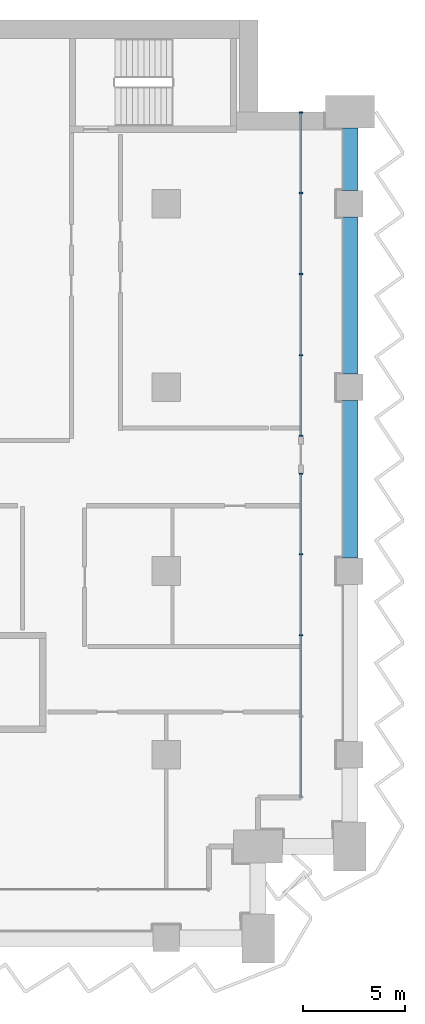
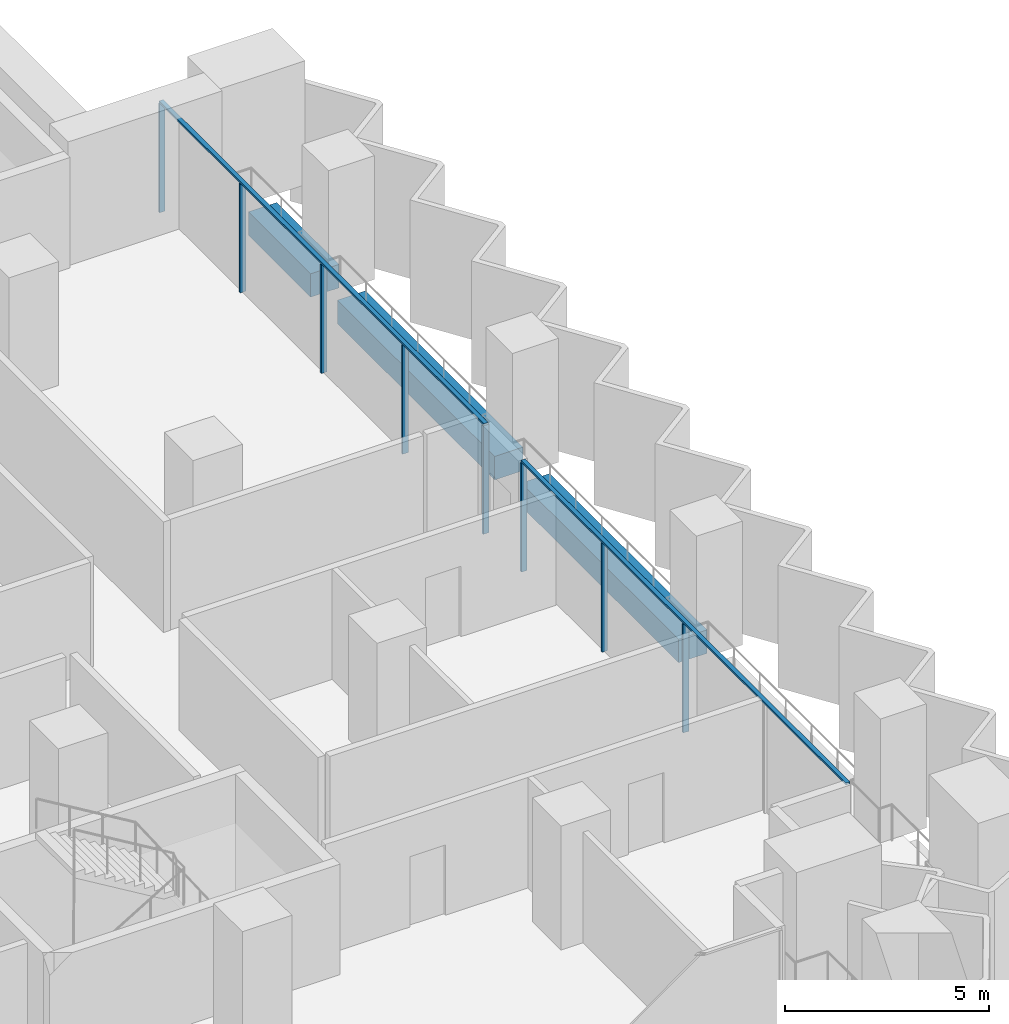
# One storey, part 7 of 28: 10 members, 3 beams, 2 elements without a shape of their own.
"""IFC4 building model written with IfcOpenShell, lengths in metres."""

from ifc_helpers import new_model, si_unit, direction, frame, origin, origin_2d, place, context, subcontext, project, spatial, rectangle, extrude, material, material_profile, profile_set, type_object, element, aggregate, save


model = new_model("IFC4")

# Units and contexts
model_context = context("Model", 3, precision=1e-05, world=origin(), true_north=direction((0.0, 1.0)))
body_context = subcontext(model_context, "Body", "Model", "MODEL_VIEW")
ifc_project = project(units=[si_unit("LENGTHUNIT", "METRE"), si_unit("AREAUNIT", "SQUARE_METRE"), si_unit("VOLUMEUNIT", "CUBIC_METRE"), si_unit("PLANEANGLEUNIT", "RADIAN"), si_unit("MASSUNIT", "GRAM", prefix="KILO")], contexts=[model_context])

# Site, building, storey
site_placement = place(None, origin())
site = spatial("IfcSite", under=ifc_project, at=site_placement, CompositionType="ELEMENT")
building_placement = place(site_placement, origin())
building = spatial("IfcBuilding", under=site, at=building_placement, Name="Hunhe Ridgeline Campus", CompositionType="ELEMENT")
storey_placement = place(building_placement, frame((0.0, 0.0, 72.800048828125)))
storey = spatial("IfcBuildingStorey", under=building, at=storey_placement, Name="L17", CompositionType="ELEMENT", Elevation=72.800048828125)

# Curtain wall, members
ifc_material_1 = material(Name="Aluminium 6063", Category="aluminium")
curtain_wall_type = type_object("IfcCurtainWallType", Name="Curtain wall CW-1", PredefinedType="NOTDEFINED", material=ifc_material_1)
curtain_wall_1_placement = place(storey_placement, origin())
curtain_wall_1 = element("IfcCurtainWall", 1, at=curtain_wall_1_placement, inside=storey, type_object=curtain_wall_type, Name="Curtain wall 15", PredefinedType="NOTDEFINED")
ifc_material_profile_1 = material_profile(ifc_material_1, rectangle(XDim=0.159912109375, YDim=0.06005859375, at=origin_2d()))
ifc_profile_set_1 = profile_set([ifc_material_profile_1], Name="Aluminium 6063")
member_type_1 = type_object("IfcMemberType", Name="CW-1 aluminium mullion", PredefinedType="MULLION", material=ifc_profile_set_1)
member_1_placement = place(storey_placement, frame((96.59912109375, 68.850830078125, 0.0), z_axis=(0.0, 0.0, 1.0), x_axis=(-1.0, 0.0, 0.0)))
member_1 = element("IfcMember", 2, at=member_1_placement, type_object=member_type_1, Name="CW-1 mullion 3", PredefinedType="MULLION", context=body_context, shape_type="SweptSolid", body=[
    extrude(rectangle(XDim=0.159912109375, YDim=0.06005859375, at=origin_2d()), origin(), (0.0, 0.0, 1.0), 3.239990234375),
])
member_2_placement = place(storey_placement, frame((96.59912109375, 72.82568359375, 0.0), z_axis=(0.0, 0.0, 1.0), x_axis=(-1.0, 0.0, 0.0)))
member_2 = element("IfcMember", 3, at=member_2_placement, type_object=member_type_1, Name="CW-1 mullion 4", PredefinedType="MULLION", context=body_context, shape_type="SweptSolid", body=[
    extrude(rectangle(XDim=0.159912109375, YDim=0.06005859375, at=origin_2d()), origin(), (0.0, 0.0, 1.0), 3.239990234375),
])
member_3_placement = place(storey_placement, frame((96.59912109375, 76.7705078125, 0.0), z_axis=(0.0, 0.0, 1.0), x_axis=(-1.0, 0.0, 0.0)))
member_3 = element("IfcMember", 4, at=member_3_placement, type_object=member_type_1, Name="CW-1 mullion 5", PredefinedType="MULLION", context=body_context, shape_type="SweptSolid", body=[
    extrude(rectangle(XDim=0.159912109375, YDim=0.06005859375, at=origin_2d()), origin(), (0.0, 0.0, 1.0), 3.239990234375),
])

curtain_wall_2_placement = place(storey_placement, origin())
curtain_wall_2 = element("IfcCurtainWall", 5, at=curtain_wall_2_placement, inside=storey, type_object=curtain_wall_type, Name="Curtain wall 16", PredefinedType="NOTDEFINED")
member_4_placement = place(storey_placement, frame((96.59912109375, 78.630615234375, 0.0), z_axis=(0.0, 0.0, 1.0), x_axis=(-1.0, 0.0, 0.0)))
member_4 = element("IfcMember", 6, at=member_4_placement, type_object=member_type_1, Name="CW-1 mullion 1", PredefinedType="MULLION", context=body_context, shape_type="SweptSolid", body=[
    extrude(rectangle(XDim=0.159912109375, YDim=0.06005859375, at=origin_2d()), origin(), (0.0, 0.0, 1.0), 3.239990234375),
])
member_5_placement = place(storey_placement, frame((96.59912109375, 82.575439453125, 0.0), z_axis=(0.0, 0.0, 1.0), x_axis=(-1.0, 0.0, 0.0)))
member_5 = element("IfcMember", 7, at=member_5_placement, type_object=member_type_1, Name="CW-1 mullion 2", PredefinedType="MULLION", context=body_context, shape_type="SweptSolid", body=[
    extrude(rectangle(XDim=0.159912109375, YDim=0.06005859375, at=origin_2d()), origin(), (0.0, 0.0, 1.0), 3.239990234375),
])
member_6_placement = place(storey_placement, frame((96.59912109375, 86.55029296875, 0.0), z_axis=(0.0, 0.0, 1.0), x_axis=(-1.0, 0.0, 0.0)))
member_6 = element("IfcMember", 8, at=member_6_placement, type_object=member_type_1, Name="CW-1 mullion 3", PredefinedType="MULLION", context=body_context, shape_type="SweptSolid", body=[
    extrude(rectangle(XDim=0.159912109375, YDim=0.06005859375, at=origin_2d()), origin(), (0.0, 0.0, 1.0), 3.239990234375),
])
member_7_placement = place(storey_placement, frame((96.59912109375, 90.525146484375, 0.0), z_axis=(0.0, 0.0, 1.0), x_axis=(-1.0, 0.0, 0.0)))
member_7 = element("IfcMember", 9, at=member_7_placement, type_object=member_type_1, Name="CW-1 mullion 4", PredefinedType="MULLION", context=body_context, shape_type="SweptSolid", body=[
    extrude(rectangle(XDim=0.159912109375, YDim=0.06005859375, at=origin_2d()), origin(), (0.0, 0.0, 1.0), 3.239990234375),
])
member_8_placement = place(storey_placement, frame((96.59912109375, 94.469970703125, 0.0), z_axis=(0.0, 0.0, 1.0), x_axis=(-1.0, 0.0, 0.0)))
member_8 = element("IfcMember", 10, at=member_8_placement, type_object=member_type_1, Name="CW-1 mullion 5", PredefinedType="MULLION", context=body_context, shape_type="SweptSolid", body=[
    extrude(rectangle(XDim=0.159912109375, YDim=0.06005859375, at=origin_2d()), origin(), (0.0, 0.0, 1.0), 3.239990234375),
])

# Member
ifc_material_profile_2 = material_profile(ifc_material_1, rectangle(XDim=0.1201171875, YDim=0.06005859375, at=origin_2d()))
ifc_profile_set_2 = profile_set([ifc_material_profile_2], Name="Aluminium 6063")
member_type_2 = type_object("IfcMemberType", Name="CW-1 aluminium transom", PredefinedType="USERDEFINED", material=ifc_profile_set_2)
member_9_placement = place(storey_placement, frame((96.59912109375, 60.90087890625, 3.27001953125), z_axis=(0.0, 1.0, 0.0), x_axis=(-1.0, 0.0, 0.0)))
member_9 = element("IfcMember", 11, at=member_9_placement, type_object=member_type_2, Name="CW-1 transom 1", ObjectType="TRANSOM", PredefinedType="USERDEFINED", context=body_context, shape_type="SweptSolid", body=[
    extrude(rectangle(XDim=0.1201171875, YDim=0.06005859375, at=origin_2d()), origin(), (0.0, 0.0, 1.0), 15.899658203125),
])

aggregate(curtain_wall_1, [member_9, member_1, member_2, member_3])

member_10_placement = place(storey_placement, frame((96.59912109375, 78.6005859375, 3.27001953125), z_axis=(0.0, 1.0, 0.0), x_axis=(-1.0, 0.0, 0.0)))
member_10 = element("IfcMember", 12, at=member_10_placement, type_object=member_type_2, Name="CW-1 transom 1", ObjectType="TRANSOM", PredefinedType="USERDEFINED", context=body_context, shape_type="SweptSolid", body=[
    extrude(rectangle(XDim=0.1201171875, YDim=0.06005859375, at=origin_2d()), origin(), (0.0, 0.0, 1.0), 15.8994140625),
])

aggregate(curtain_wall_2, [member_10, member_4, member_5, member_6, member_7, member_8])

# Beams
ifc_material_2 = material(Name="Concrete C60", Category="concrete")
ifc_material_profile_3 = material_profile(ifc_material_2, rectangle(XDim=0.800048828125, YDim=0.699951171875, at=origin_2d()))
ifc_profile_set_3 = profile_set([ifc_material_profile_3], Name="Concrete C60")
beam_type = type_object("IfcBeamType", Name="RC spandrel beam 800x700 Concrete C60", PredefinedType="SPANDREL", material=ifc_profile_set_3)
for number, where, z_axis, x_axis, name in (
    (13, (99.0, 72.64990234375, -0.60009765625), (0.0, 1.0, 0.0), (-1.0, 0.0, 0.0), "Spandrel beam B1-22 L17"),
    (14, (99.0, 81.64990234375, -0.60009765625), (0.0, 1.0, 0.0), (-1.0, 0.0, 0.0), "Spandrel beam B1-23 L17"),
):
    element("IfcBeam", number, at=place(storey_placement, frame(where, z_axis=z_axis, x_axis=x_axis)), inside=storey, type_object=beam_type, Name=name, PredefinedType="SPANDREL", context=body_context, shape_type="SweptSolid", body=[
        extrude(rectangle(XDim=0.800048828125, YDim=0.699951171875, at=origin_2d()), origin(), (0.0, 0.0, 1.0), 7.7001953125),
    ])
beam_placement = place(storey_placement, frame((99.0, 90.64990234375, -0.60009765625), z_axis=(0.0, 1.0, 0.0), x_axis=(-1.0, 0.0, 0.0)))
element("IfcBeam", 15, at=beam_placement, inside=storey, type_object=beam_type, Name="Spandrel beam B1-24 L17", PredefinedType="SPANDREL", context=body_context, shape_type="SweptSolid", body=[
    extrude(rectangle(XDim=0.800048828125, YDim=0.699951171875, at=origin_2d()), origin(), (0.0, 0.0, 1.0), 3.050048828125),
])

save(model, "model.ifc")
